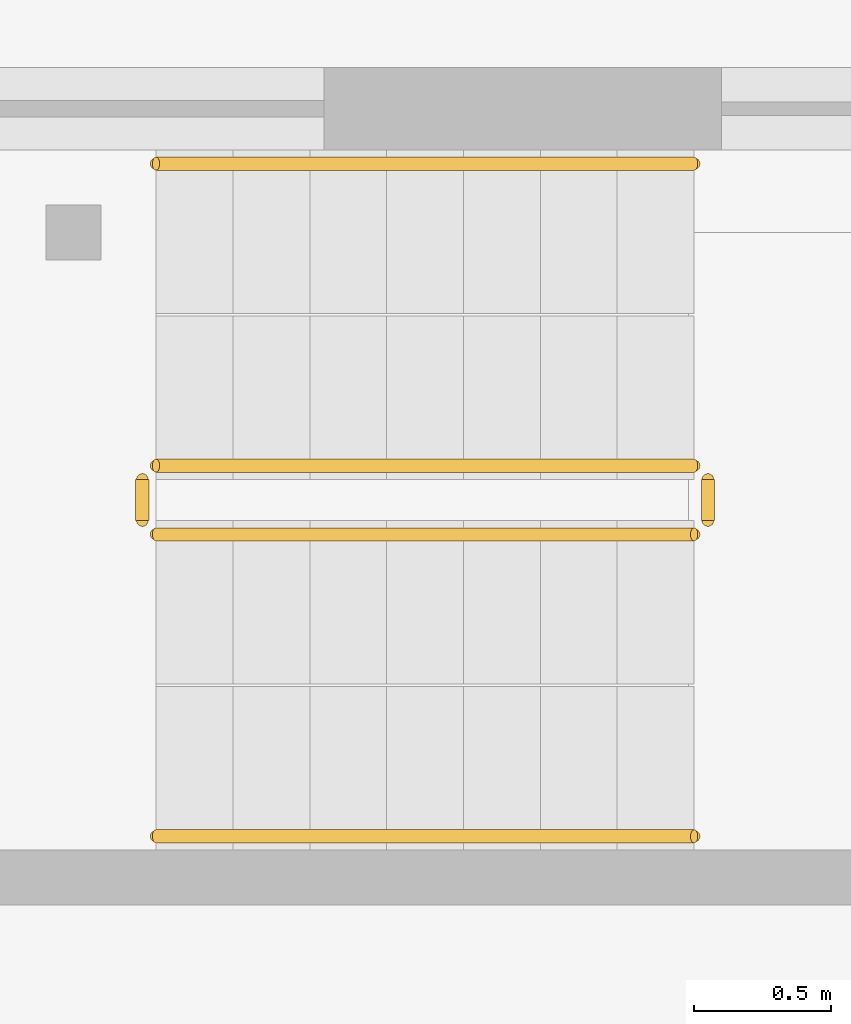
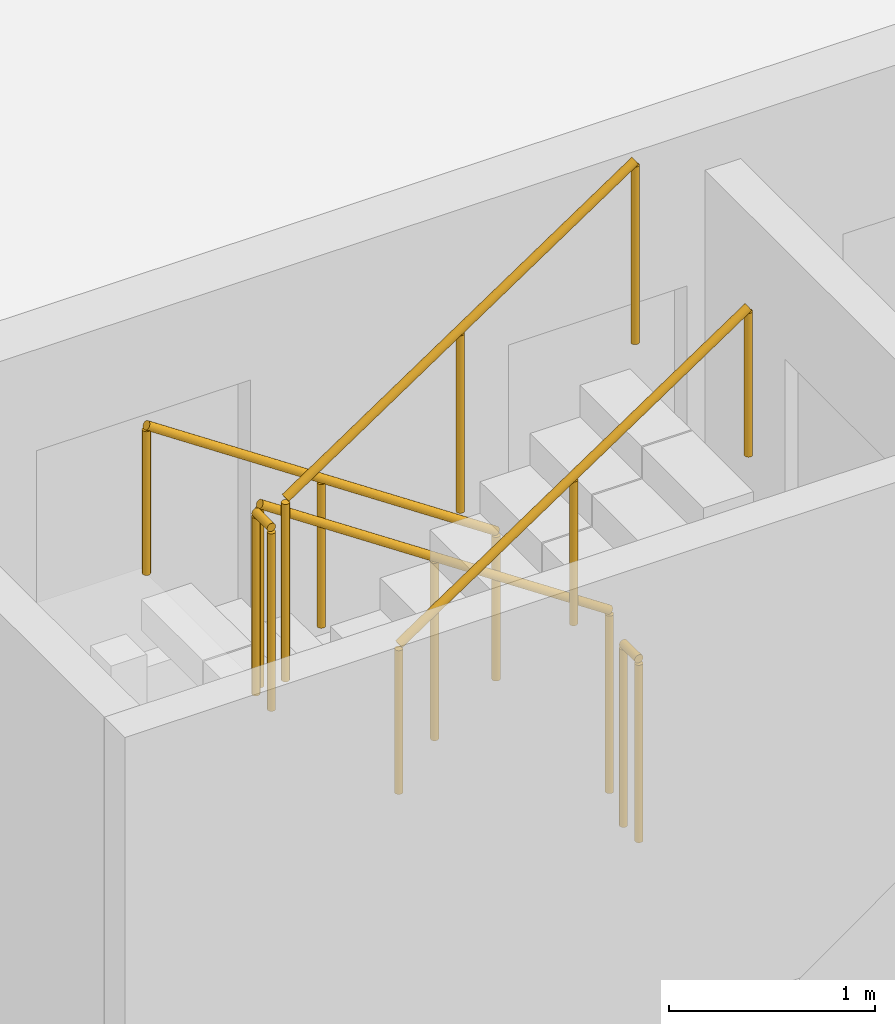
# One storey, part 93 of 112: 6 railings.
"""IFC4 building model written with IfcOpenShell, lengths in metres."""

from ifc_helpers import new_model, si_unit, direction, frame, origin, origin_2d, place, context, subcontext, project, spatial, circle, extrude, material, type_object, element, save


model = new_model("IFC4")

# Units and contexts
model_context = context("Model", 3, precision=1e-05, world=origin(), true_north=direction((0.0, 1.0)))
body_context = subcontext(model_context, "Body", "Model", "MODEL_VIEW")
ifc_project = project(units=[si_unit("LENGTHUNIT", "METRE"), si_unit("AREAUNIT", "SQUARE_METRE"), si_unit("VOLUMEUNIT", "CUBIC_METRE"), si_unit("PLANEANGLEUNIT", "RADIAN"), si_unit("MASSUNIT", "GRAM", prefix="KILO")], contexts=[model_context])

# Site, building, storey
site_placement = place(None, origin())
site = spatial("IfcSite", under=ifc_project, at=site_placement, CompositionType="ELEMENT")
building_placement = place(site_placement, origin())
building = spatial("IfcBuilding", under=site, at=building_placement, Name="Ridgestep Commons", CompositionType="ELEMENT")
storey_placement = place(building_placement, origin())
storey = spatial("IfcBuildingStorey", under=building, at=storey_placement, Name="L00", CompositionType="ELEMENT", Elevation=0.0)

# Railings
ifc_material_1 = material(Name="Structural steel S355JR", Category="steel")
railing_type_1 = type_object("IfcRailingType", Name="Community stair guard 1100", PredefinedType="GUARDRAIL", material=ifc_material_1)
railing_1_placement = place(storey_placement, frame((101.449951171875, 57.89990234375, 0.1875)))
element("IfcRailing", 1, at=railing_1_placement, inside=storey, type_object=railing_type_1, Name="L00 AW-ST3 stair guard 1", PredefinedType="GUARDRAIL", context=body_context, shape_type="SweptSolid", body=[
    extrude(circle(Radius=0.02392578125, at=origin_2d()), frame((0.0, 0.0, 1.076171875), z_axis=(-0.830902050051, 0.0, 0.556418712142), x_axis=(0.0, -1.0, 0.0)), (0.0, 0.0, 1.0), 2.35888671875),
    extrude(circle(Radius=0.02099609375, at=origin_2d()), origin(), (0.0, 0.0, 1.0), 1.052001953125),
    extrude(circle(Radius=0.02099609375, at=origin_2d()), frame((-0.97998046875, 0.0, 0.65625)), (0.0, 0.0, 1.0), 1.052001953125),
    extrude(circle(Radius=0.02099609375, at=origin_2d()), frame((-1.9599609375, 0.0, 1.3125)), (0.0, 0.0, 1.0), 1.052001953125),
])
railing_2_placement = place(storey_placement, frame((99.43994140625, 57.85009765625, 1.5)))
element("IfcRailing", 2, at=railing_2_placement, inside=storey, type_object=railing_type_1, Name="L00 AW-ST3 stair guard 2", PredefinedType="GUARDRAIL", context=body_context, shape_type="SweptSolid", body=[
    extrude(circle(Radius=0.02392578125, at=origin_2d()), frame((0.0, 0.0, 1.076171875), z_axis=(0.0, -1.0, 0.0), x_axis=(1.0, 0.0, 0.0)), (0.0, 0.0, 1.0), 0.150146484375),
    extrude(circle(Radius=0.02099609375, at=origin_2d()), origin(), (0.0, 0.0, 1.0), 1.052001953125),
    extrude(circle(Radius=0.02099609375, at=origin_2d()), frame((0.0, -0.150146484375, 0.0)), (0.0, 0.0, 1.0), 1.052001953125),
])
railing_3_placement = place(storey_placement, frame((99.489990234375, 57.64990234375, 1.6875)))
element("IfcRailing", 3, at=railing_3_placement, inside=storey, type_object=railing_type_1, Name="L00 AW-ST3 stair guard 3", PredefinedType="GUARDRAIL", context=body_context, shape_type="SweptSolid", body=[
    extrude(circle(Radius=0.02392578125, at=origin_2d()), frame((0.0, 0.0, 1.076171875), z_axis=(0.830902050051, 0.0, 0.556418712142), x_axis=(0.0, 1.0, 0.0)), (0.0, 0.0, 1.0), 2.35888671875),
    extrude(circle(Radius=0.02099609375, at=origin_2d()), origin(), (0.0, 0.0, 1.0), 1.052001953125),
    extrude(circle(Radius=0.02099609375, at=origin_2d()), frame((0.97998046875, 0.0, 0.65625)), (0.0, 0.0, 1.0), 1.052001953125),
    extrude(circle(Radius=0.02099609375, at=origin_2d()), frame((1.9599609375, 0.0, 1.3125)), (0.0, 0.0, 1.0), 1.052001953125),
])
railing_4_placement = place(storey_placement, frame((101.5, 57.85009765625, 0.0)))
element("IfcRailing", 4, at=railing_4_placement, inside=storey, type_object=railing_type_1, Name="L00 AW-ST3 stair guard 4", PredefinedType="GUARDRAIL", context=body_context, shape_type="SweptSolid", body=[
    extrude(circle(Radius=0.02392578125, at=origin_2d()), frame((0.0, 0.0, 1.076171875), z_axis=(0.0, -1.0, 0.0), x_axis=(1.0, 0.0, 0.0)), (0.0, 0.0, 1.0), 0.150146484375),
    extrude(circle(Radius=0.02099609375, at=origin_2d()), origin(), (0.0, 0.0, 1.0), 1.052001953125),
    extrude(circle(Radius=0.02099609375, at=origin_2d()), frame((0.0, -0.150146484375, 0.0)), (0.0, 0.0, 1.0), 1.052001953125),
])
ifc_material_2 = material(Name="Structural steel S355JR", Category="steel")
railing_type_2 = type_object("IfcRailingType", Name="Community stair handrail 900", PredefinedType="HANDRAIL", material=ifc_material_2)
railing_5_placement = place(storey_placement, frame((101.449951171875, 59.0, 0.1875)))
element("IfcRailing", 5, at=railing_5_placement, inside=storey, type_object=railing_type_2, Name="L00 AW-ST3 stair handrail 1", PredefinedType="HANDRAIL", context=body_context, shape_type="SweptSolid", body=[
    extrude(circle(Radius=0.02392578125, at=origin_2d()), frame((0.0, 0.0, 0.8759765625), z_axis=(-0.830902050051, 0.0, 0.556418712142), x_axis=(0.0, -1.0, 0.0)), (0.0, 0.0, 1.0), 2.35888671875),
    extrude(circle(Radius=0.02099609375, at=origin_2d()), origin(), (0.0, 0.0, 1.0), 0.851806640625),
    extrude(circle(Radius=0.02099609375, at=origin_2d()), frame((-0.97998046875, 0.0, 0.65625)), (0.0, 0.0, 1.0), 0.851806640625),
    extrude(circle(Radius=0.02099609375, at=origin_2d()), frame((-1.9599609375, 0.0, 1.3125)), (0.0, 0.0, 1.0), 0.851806640625),
])
railing_6_placement = place(storey_placement, frame((99.489990234375, 56.550048828125, 1.6875)))
element("IfcRailing", 6, at=railing_6_placement, inside=storey, type_object=railing_type_2, Name="L00 AW-ST3 stair handrail 2", PredefinedType="HANDRAIL", context=body_context, shape_type="SweptSolid", body=[
    extrude(circle(Radius=0.02392578125, at=origin_2d()), frame((0.0, 0.0, 0.8759765625), z_axis=(0.830902050051, 0.0, 0.556418712142), x_axis=(0.0, 1.0, 0.0)), (0.0, 0.0, 1.0), 2.35888671875),
    extrude(circle(Radius=0.02099609375, at=origin_2d()), origin(), (0.0, 0.0, 1.0), 0.851806640625),
    extrude(circle(Radius=0.02099609375, at=origin_2d()), frame((0.97998046875, 0.0, 0.65625)), (0.0, 0.0, 1.0), 0.851806640625),
    extrude(circle(Radius=0.02099609375, at=origin_2d()), frame((1.9599609375, 0.0, 1.3125)), (0.0, 0.0, 1.0), 0.851806640625),
])

save(model, "model.ifc")
